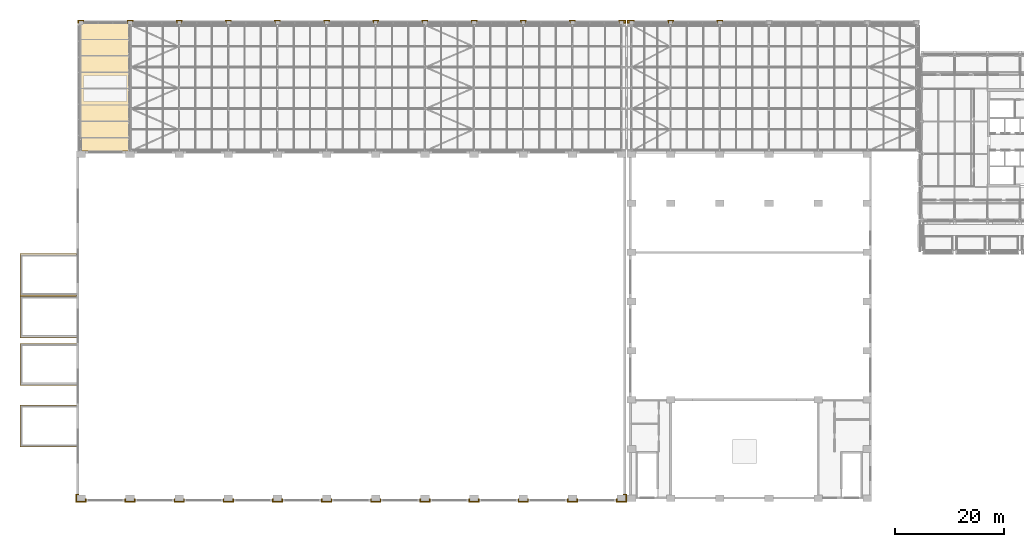
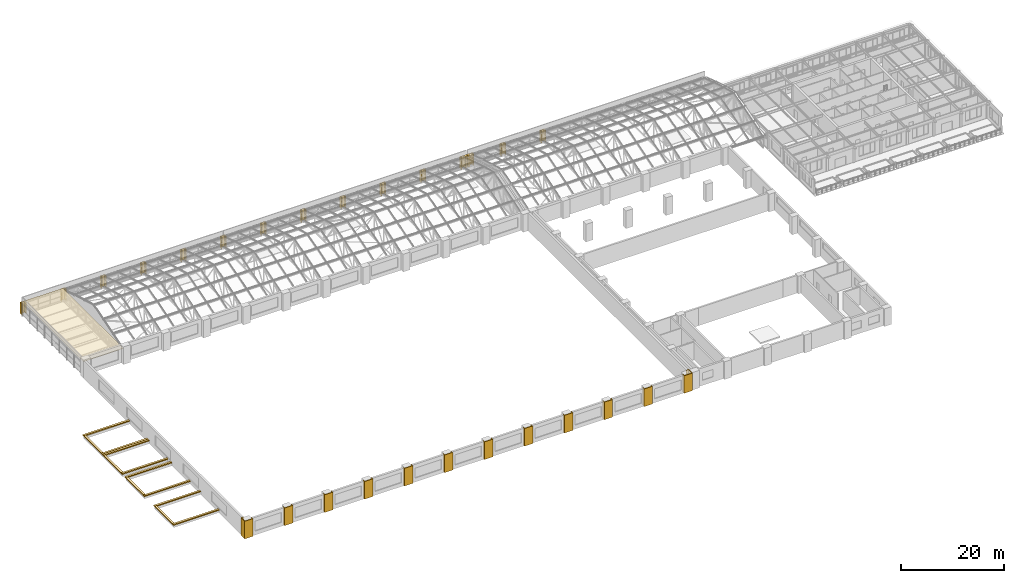
# One storey, part 78 of 82: 40 coverings.
"""IFC4 building model written with IfcOpenShell, lengths in metres."""

from ifc_helpers import new_model, si_unit, direction, frame, origin, place, context, subcontext, project, spatial, polyline, outline, extrude, material, layer, layer_set, type_object, element, save


model = new_model("IFC4")

# Units and contexts
model_context = context("Model", 3, precision=1e-05, world=origin(), true_north=direction((0.0, 1.0)))
body_context = subcontext(model_context, "Body", "Model", "MODEL_VIEW")
ifc_project = project(units=[si_unit("LENGTHUNIT", "METRE"), si_unit("AREAUNIT", "SQUARE_METRE"), si_unit("VOLUMEUNIT", "CUBIC_METRE"), si_unit("PLANEANGLEUNIT", "RADIAN"), si_unit("MASSUNIT", "GRAM", prefix="KILO")], contexts=[model_context])

# Site, building, storey
site_placement = place(None, origin())
site = spatial("IfcSite", under=ifc_project, at=site_placement, CompositionType="ELEMENT")
building_placement = place(site_placement, origin())
building = spatial("IfcBuilding", under=site, at=building_placement, Name="Aravalli Gate Trade Fair Centre", CompositionType="ELEMENT")
storey_placement = place(building_placement, frame((0.0, 0.0, 19.199951171875)))
storey = spatial("IfcBuildingStorey", under=building, at=storey_placement, Name="L04", CompositionType="ELEMENT", Elevation=19.199951171875)

# Coverings
ifc_material_1 = material(Name="Reflective roof membrane on rigid insulation")
ifc_layer_1 = layer(ifc_material_1, 0.10009765625)
ifc_layer_set_1 = layer_set([ifc_layer_1], Name="Reflective roof membrane on rigid insulation")
covering_type_1 = type_object("IfcCoveringType", Name="Concourse roof membrane and insulation 100", PredefinedType="ROOFING", material=ifc_layer_set_1)
covering_1_placement = place(storey_placement, frame((0.0, 0.0, 2.85009765625)))
element("IfcCovering", 1, at=covering_1_placement, inside=storey, type_object=covering_type_1, Name="Concourse roofing 1", PredefinedType="ROOFING", context=body_context, shape_type="SweptSolid", body=[
    extrude(outline(polyline([(14.89990234375, 109.60009765625), (14.89990234375, 133.199951171875), (5.89990234375, 133.199951171875), (5.89990234375, 109.60009765625), (14.89990234375, 109.60009765625)])), origin(), (0.0, 0.0, 1.0), 0.099853515625),
])
ifc_material_2 = material(Name="Terracotta", Category="masonry")
ifc_layer_2 = layer(ifc_material_2, 0.300048828125)
ifc_layer_set_2 = layer_set([ifc_layer_2], Name="Terracotta")
covering_type_2 = type_object("IfcCoveringType", Name="End tower cornice course", PredefinedType="CLADDING", material=ifc_layer_set_2)
covering_2_placement = place(storey_placement, frame((0.0, 0.0, 0.60009765625)))
element("IfcCovering", 2, at=covering_2_placement, inside=storey, type_object=covering_type_2, Name="End tower W1 cornice a", PredefinedType="CLADDING", context=body_context, shape_type="SweptSolid", body=[
    extrude(outline(polyline([(5.199951171875, 55.35009765625), (-5.14990234375, 55.35009765625), (-5.14990234375, 55.800048828125), (5.199951171875, 55.800048828125), (5.199951171875, 55.35009765625)])), origin(), (0.0, 0.0, 1.0), 0.25),
])
covering_3_placement = place(storey_placement, frame((0.0, 0.0, 0.60009765625)))
element("IfcCovering", 3, at=covering_3_placement, inside=storey, type_object=covering_type_2, Name="End tower W1 cornice b", PredefinedType="CLADDING", context=body_context, shape_type="SweptSolid", body=[
    extrude(outline(polyline([(5.199951171875, 62.60009765625), (-5.14990234375, 62.60009765625), (-5.14990234375, 63.050048828125), (5.199951171875, 63.050048828125), (5.199951171875, 62.60009765625)])), origin(), (0.0, 0.0, 1.0), 0.25),
])
covering_4_placement = place(storey_placement, frame((0.0, 0.0, 0.60009765625)))
element("IfcCovering", 4, at=covering_4_placement, inside=storey, type_object=covering_type_2, Name="End tower W1 cornice f", PredefinedType="CLADDING", context=body_context, shape_type="SweptSolid", body=[
    extrude(outline(polyline([(-4.699951171875, 55.800048828125), (-5.14990234375, 55.800048828125), (-5.14990234375, 62.60009765625), (-4.699951171875, 62.60009765625), (-4.699951171875, 55.800048828125)])), origin(), (0.0, 0.0, 1.0), 0.25),
])
covering_5_placement = place(storey_placement, frame((0.0, 0.0, 0.60009765625)))
element("IfcCovering", 5, at=covering_5_placement, inside=storey, type_object=covering_type_2, Name="End tower W2 cornice a", PredefinedType="CLADDING", context=body_context, shape_type="SweptSolid", body=[
    extrude(outline(polyline([(5.199951171875, 75.35009765625), (-5.14990234375, 75.35009765625), (-5.14990234375, 75.800048828125), (5.199951171875, 75.800048828125), (5.199951171875, 75.35009765625)])), origin(), (0.0, 0.0, 1.0), 0.25),
])
covering_6_placement = place(storey_placement, frame((0.0, 0.0, 0.60009765625)))
element("IfcCovering", 6, at=covering_6_placement, inside=storey, type_object=covering_type_2, Name="End tower W2 cornice b", PredefinedType="CLADDING", context=body_context, shape_type="SweptSolid", body=[
    extrude(outline(polyline([(5.199951171875, 82.60009765625), (-5.14990234375, 82.60009765625), (-5.14990234375, 83.050048828125), (5.199951171875, 83.050048828125), (5.199951171875, 82.60009765625)])), origin(), (0.0, 0.0, 1.0), 0.25),
])
covering_7_placement = place(storey_placement, frame((0.0, 0.0, 0.60009765625)))
element("IfcCovering", 7, at=covering_7_placement, inside=storey, type_object=covering_type_2, Name="End tower W2 cornice f", PredefinedType="CLADDING", context=body_context, shape_type="SweptSolid", body=[
    extrude(outline(polyline([(-4.699951171875, 75.800048828125), (-5.14990234375, 75.800048828125), (-5.14990234375, 82.60009765625), (-4.699951171875, 82.60009765625), (-4.699951171875, 75.800048828125)])), origin(), (0.0, 0.0, 1.0), 0.25),
])
covering_8_placement = place(storey_placement, frame((0.0, 0.0, 0.60009765625)))
element("IfcCovering", 8, at=covering_8_placement, inside=storey, type_object=covering_type_2, Name="End tower W4 cornice a", PredefinedType="CLADDING", context=body_context, shape_type="SweptSolid", body=[
    extrude(outline(polyline([(5.199951171875, 66.64990234375), (-5.14990234375, 66.64990234375), (-5.14990234375, 67.10009765625), (5.199951171875, 67.10009765625), (5.199951171875, 66.64990234375)])), origin(), (0.0, 0.0, 1.0), 0.25),
])
covering_9_placement = place(storey_placement, frame((0.0, 0.0, 0.60009765625)))
element("IfcCovering", 9, at=covering_9_placement, inside=storey, type_object=covering_type_2, Name="End tower W4 cornice b", PredefinedType="CLADDING", context=body_context, shape_type="SweptSolid", body=[
    extrude(outline(polyline([(5.199951171875, 73.89990234375), (-5.14990234375, 73.89990234375), (-5.14990234375, 74.35009765625), (5.199951171875, 74.35009765625), (5.199951171875, 73.89990234375)])), origin(), (0.0, 0.0, 1.0), 0.25),
])
covering_10_placement = place(storey_placement, frame((0.0, 0.0, 0.60009765625)))
element("IfcCovering", 10, at=covering_10_placement, inside=storey, type_object=covering_type_2, Name="End tower W4 cornice f", PredefinedType="CLADDING", context=body_context, shape_type="SweptSolid", body=[
    extrude(outline(polyline([(-4.699951171875, 67.10009765625), (-5.14990234375, 67.10009765625), (-5.14990234375, 73.89990234375), (-4.699951171875, 73.89990234375), (-4.699951171875, 67.10009765625)])), origin(), (0.0, 0.0, 1.0), 0.25),
])
covering_11_placement = place(storey_placement, frame((0.0, 0.0, 0.60009765625)))
element("IfcCovering", 11, at=covering_11_placement, inside=storey, type_object=covering_type_2, Name="End tower W5 cornice a", PredefinedType="CLADDING", context=body_context, shape_type="SweptSolid", body=[
    extrude(outline(polyline([(5.199951171875, 83.050048828125), (-5.14990234375, 83.050048828125), (-5.14990234375, 83.5), (5.199951171875, 83.5), (5.199951171875, 83.050048828125)])), origin(), (0.0, 0.0, 1.0), 0.25),
])
covering_12_placement = place(storey_placement, frame((0.0, 0.0, 0.60009765625)))
element("IfcCovering", 12, at=covering_12_placement, inside=storey, type_object=covering_type_2, Name="End tower W5 cornice b", PredefinedType="CLADDING", context=body_context, shape_type="SweptSolid", body=[
    extrude(outline(polyline([(5.199951171875, 90.300048828125), (-5.14990234375, 90.300048828125), (-5.14990234375, 90.75), (5.199951171875, 90.75), (5.199951171875, 90.300048828125)])), origin(), (0.0, 0.0, 1.0), 0.25),
])
covering_13_placement = place(storey_placement, frame((0.0, 0.0, 0.60009765625)))
element("IfcCovering", 13, at=covering_13_placement, inside=storey, type_object=covering_type_2, Name="End tower W5 cornice f", PredefinedType="CLADDING", context=body_context, shape_type="SweptSolid", body=[
    extrude(outline(polyline([(-4.699951171875, 83.5), (-5.14990234375, 83.5), (-5.14990234375, 90.300048828125), (-4.699951171875, 90.300048828125), (-4.699951171875, 83.5)])), origin(), (0.0, 0.0, 1.0), 0.25),
])
ifc_layer_3 = layer(ifc_material_2, 0.14990234375)
ifc_layer_set_3 = layer_set([ifc_layer_3], Name="Terracotta")
covering_type_3 = type_object("IfcCoveringType", Name="Terracotta pier casing", PredefinedType="CLADDING", material=ifc_layer_set_3)
covering_14_placement = place(storey_placement, origin())
element("IfcCovering", 14, at=covering_14_placement, inside=storey, type_object=covering_type_3, Name="Clad pier A1 L04", PredefinedType="CLADDING", context=body_context, shape_type="SweptSolid", body=[
    extrude(outline(polyline([(5.050048828125, 46.75), (5.64990234375, 46.75), (5.64990234375, 46.60009765625), (5.199951171875, 46.60009765625), (5.199951171875, 45.39990234375), (6.800048828125, 45.39990234375), (6.800048828125, 45.85009765625), (6.949951171875, 45.85009765625), (6.949951171875, 45.25), (5.050048828125, 45.25), (5.050048828125, 46.75)])), origin(), (0.0, 0.0, 1.0), 4.199951171875),
])
covering_15_placement = place(storey_placement, origin())
element("IfcCovering", 15, at=covering_15_placement, inside=storey, type_object=covering_type_3, Name="Clad pier A2 L04", PredefinedType="CLADDING", context=body_context, shape_type="SweptSolid", body=[
    extrude(outline(polyline([(14.050048828125, 45.85009765625), (14.199951171875, 45.85009765625), (14.199951171875, 45.39990234375), (15.800048828125, 45.39990234375), (15.800048828125, 45.85009765625), (15.949951171875, 45.85009765625), (15.949951171875, 45.25), (14.050048828125, 45.25), (14.050048828125, 45.85009765625)])), origin(), (0.0, 0.0, 1.0), 4.199951171875),
])
covering_16_placement = place(storey_placement, origin())
element("IfcCovering", 16, at=covering_16_placement, inside=storey, type_object=covering_type_3, Name="Clad pier A3 L04", PredefinedType="CLADDING", context=body_context, shape_type="SweptSolid", body=[
    extrude(outline(polyline([(23.050048828125, 45.85009765625), (23.199951171875, 45.85009765625), (23.199951171875, 45.39990234375), (24.800048828125, 45.39990234375), (24.800048828125, 45.85009765625), (24.949951171875, 45.85009765625), (24.949951171875, 45.25), (23.050048828125, 45.25), (23.050048828125, 45.85009765625)])), origin(), (0.0, 0.0, 1.0), 4.199951171875),
])
covering_17_placement = place(storey_placement, origin())
element("IfcCovering", 17, at=covering_17_placement, inside=storey, type_object=covering_type_3, Name="Clad pier A4 L04", PredefinedType="CLADDING", context=body_context, shape_type="SweptSolid", body=[
    extrude(outline(polyline([(32.050048828125, 45.85009765625), (32.199951171875, 45.85009765625), (32.199951171875, 45.39990234375), (33.800048828125, 45.39990234375), (33.800048828125, 45.85009765625), (33.949951171875, 45.85009765625), (33.949951171875, 45.25), (32.050048828125, 45.25), (32.050048828125, 45.85009765625)])), origin(), (0.0, 0.0, 1.0), 4.199951171875),
])
covering_18_placement = place(storey_placement, origin())
element("IfcCovering", 18, at=covering_18_placement, inside=storey, type_object=covering_type_3, Name="Clad pier A5 L04", PredefinedType="CLADDING", context=body_context, shape_type="SweptSolid", body=[
    extrude(outline(polyline([(41.050048828125, 45.85009765625), (41.199951171875, 45.85009765625), (41.199951171875, 45.39990234375), (42.800048828125, 45.39990234375), (42.800048828125, 45.85009765625), (42.949951171875, 45.85009765625), (42.949951171875, 45.25), (41.050048828125, 45.25), (41.050048828125, 45.85009765625)])), origin(), (0.0, 0.0, 1.0), 4.199951171875),
])
covering_19_placement = place(storey_placement, origin())
element("IfcCovering", 19, at=covering_19_placement, inside=storey, type_object=covering_type_3, Name="Clad pier A6 L04", PredefinedType="CLADDING", context=body_context, shape_type="SweptSolid", body=[
    extrude(outline(polyline([(50.050048828125, 45.85009765625), (50.199951171875, 45.85009765625), (50.199951171875, 45.39990234375), (51.800048828125, 45.39990234375), (51.800048828125, 45.85009765625), (51.949951171875, 45.85009765625), (51.949951171875, 45.25), (50.050048828125, 45.25), (50.050048828125, 45.85009765625)])), origin(), (0.0, 0.0, 1.0), 4.199951171875),
])
covering_20_placement = place(storey_placement, origin())
element("IfcCovering", 20, at=covering_20_placement, inside=storey, type_object=covering_type_3, Name="Clad pier A7 L04", PredefinedType="CLADDING", context=body_context, shape_type="SweptSolid", body=[
    extrude(outline(polyline([(59.050048828125, 45.85009765625), (59.199951171875, 45.85009765625), (59.199951171875, 45.39990234375), (60.800048828125, 45.39990234375), (60.800048828125, 45.85009765625), (60.949951171875, 45.85009765625), (60.949951171875, 45.25), (59.050048828125, 45.25), (59.050048828125, 45.85009765625)])), origin(), (0.0, 0.0, 1.0), 4.199951171875),
])
covering_21_placement = place(storey_placement, origin())
element("IfcCovering", 21, at=covering_21_placement, inside=storey, type_object=covering_type_3, Name="Clad pier A8 L04", PredefinedType="CLADDING", context=body_context, shape_type="SweptSolid", body=[
    extrude(outline(polyline([(68.050048828125, 45.85009765625), (68.199951171875, 45.85009765625), (68.199951171875, 45.39990234375), (69.800048828125, 45.39990234375), (69.800048828125, 45.85009765625), (69.949951171875, 45.85009765625), (69.949951171875, 45.25), (68.050048828125, 45.25), (68.050048828125, 45.85009765625)])), origin(), (0.0, 0.0, 1.0), 4.199951171875),
])
covering_22_placement = place(storey_placement, origin())
element("IfcCovering", 22, at=covering_22_placement, inside=storey, type_object=covering_type_3, Name="Clad pier A9 L04", PredefinedType="CLADDING", context=body_context, shape_type="SweptSolid", body=[
    extrude(outline(polyline([(77.050048828125, 45.85009765625), (77.199951171875, 45.85009765625), (77.199951171875, 45.39990234375), (78.800048828125, 45.39990234375), (78.800048828125, 45.85009765625), (78.949951171875, 45.85009765625), (78.949951171875, 45.25), (77.050048828125, 45.25), (77.050048828125, 45.85009765625)])), origin(), (0.0, 0.0, 1.0), 4.199951171875),
])
covering_23_placement = place(storey_placement, origin())
element("IfcCovering", 23, at=covering_23_placement, inside=storey, type_object=covering_type_3, Name="Clad pier A10 L04", PredefinedType="CLADDING", context=body_context, shape_type="SweptSolid", body=[
    extrude(outline(polyline([(86.050048828125, 45.85009765625), (86.199951171875, 45.85009765625), (86.199951171875, 45.39990234375), (87.800048828125, 45.39990234375), (87.800048828125, 45.85009765625), (87.949951171875, 45.85009765625), (87.949951171875, 45.25), (86.050048828125, 45.25), (86.050048828125, 45.85009765625)])), origin(), (0.0, 0.0, 1.0), 4.199951171875),
])
covering_24_placement = place(storey_placement, origin())
element("IfcCovering", 24, at=covering_24_placement, inside=storey, type_object=covering_type_3, Name="Clad pier A11 L04", PredefinedType="CLADDING", context=body_context, shape_type="SweptSolid", body=[
    extrude(outline(polyline([(95.050048828125, 45.85009765625), (95.199951171875, 45.85009765625), (95.199951171875, 45.39990234375), (96.800048828125, 45.39990234375), (96.800048828125, 45.85009765625), (96.949951171875, 45.85009765625), (96.949951171875, 45.25), (95.050048828125, 45.25), (95.050048828125, 45.85009765625)])), origin(), (0.0, 0.0, 1.0), 4.199951171875),
])
covering_25_placement = place(storey_placement, origin())
element("IfcCovering", 25, at=covering_25_placement, inside=storey, type_object=covering_type_3, Name="Clad pier A12 L04", PredefinedType="CLADDING", context=body_context, shape_type="SweptSolid", body=[
    extrude(outline(polyline([(104.050048828125, 45.85009765625), (104.199951171875, 45.85009765625), (104.199951171875, 45.39990234375), (105.800048828125, 45.39990234375), (105.800048828125, 46.60009765625), (105.35009765625, 46.60009765625), (105.35009765625, 46.75), (105.949951171875, 46.75), (105.949951171875, 45.25), (104.050048828125, 45.25), (104.050048828125, 45.85009765625)])), origin(), (0.0, 0.0, 1.0), 4.199951171875),
])
ifc_material_3 = material(Name="Glazed terracotta", Category="masonry")
ifc_layer_4 = layer(ifc_material_3, 0.14990234375)
ifc_layer_set_4 = layer_set([ifc_layer_4], Name="Glazed terracotta")
covering_type_4 = type_object("IfcCoveringType", Name="Terracotta pier casing 150", PredefinedType="CLADDING", material=ifc_layer_set_4)
covering_26_placement = place(storey_placement, origin())
element("IfcCovering", 26, at=covering_26_placement, inside=storey, type_object=covering_type_4, Name="Pier casing K01 L04", PredefinedType="CLADDING", context=body_context, shape_type="SweptSolid", body=[
    extrude(outline(polyline([(5.449951171875, 132.919921875), (5.60009765625, 132.919921875), (5.60009765625, 133.39990234375), (6.39990234375, 133.39990234375), (6.39990234375, 132.919921875), (6.550048828125, 132.919921875), (6.550048828125, 133.550048828125), (5.449951171875, 133.550048828125), (5.449951171875, 132.919921875)])), origin(), (0.0, 0.0, 1.0), 2.699951171875),
])
covering_27_placement = place(storey_placement, origin())
element("IfcCovering", 27, at=covering_27_placement, inside=storey, type_object=covering_type_4, Name="Pier casing K02 L04", PredefinedType="CLADDING", context=body_context, shape_type="SweptSolid", body=[
    extrude(outline(polyline([(14.449951171875, 132.919921875), (14.60009765625, 132.919921875), (14.60009765625, 133.39990234375), (15.39990234375, 133.39990234375), (15.39990234375, 132.919921875), (15.550048828125, 132.919921875), (15.550048828125, 133.550048828125), (14.449951171875, 133.550048828125), (14.449951171875, 132.919921875)])), origin(), (0.0, 0.0, 1.0), 2.699951171875),
])
covering_28_placement = place(storey_placement, origin())
element("IfcCovering", 28, at=covering_28_placement, inside=storey, type_object=covering_type_4, Name="Pier casing K03 L04", PredefinedType="CLADDING", context=body_context, shape_type="SweptSolid", body=[
    extrude(outline(polyline([(23.449951171875, 132.919921875), (23.60009765625, 132.919921875), (23.60009765625, 133.39990234375), (24.39990234375, 133.39990234375), (24.39990234375, 132.919921875), (24.550048828125, 132.919921875), (24.550048828125, 133.550048828125), (23.449951171875, 133.550048828125), (23.449951171875, 132.919921875)])), origin(), (0.0, 0.0, 1.0), 2.699951171875),
])
covering_29_placement = place(storey_placement, origin())
element("IfcCovering", 29, at=covering_29_placement, inside=storey, type_object=covering_type_4, Name="Pier casing K04 L04", PredefinedType="CLADDING", context=body_context, shape_type="SweptSolid", body=[
    extrude(outline(polyline([(32.449951171875, 132.919921875), (32.60009765625, 132.919921875), (32.60009765625, 133.39990234375), (33.39990234375, 133.39990234375), (33.39990234375, 132.919921875), (33.550048828125, 132.919921875), (33.550048828125, 133.550048828125), (32.449951171875, 133.550048828125), (32.449951171875, 132.919921875)])), origin(), (0.0, 0.0, 1.0), 2.699951171875),
])
covering_30_placement = place(storey_placement, origin())
element("IfcCovering", 30, at=covering_30_placement, inside=storey, type_object=covering_type_4, Name="Pier casing K05 L04", PredefinedType="CLADDING", context=body_context, shape_type="SweptSolid", body=[
    extrude(outline(polyline([(41.449951171875, 132.919921875), (41.60009765625, 132.919921875), (41.60009765625, 133.39990234375), (42.39990234375, 133.39990234375), (42.39990234375, 132.919921875), (42.550048828125, 132.919921875), (42.550048828125, 133.550048828125), (41.449951171875, 133.550048828125), (41.449951171875, 132.919921875)])), origin(), (0.0, 0.0, 1.0), 2.699951171875),
])
covering_31_placement = place(storey_placement, origin())
element("IfcCovering", 31, at=covering_31_placement, inside=storey, type_object=covering_type_4, Name="Pier casing K06 L04", PredefinedType="CLADDING", context=body_context, shape_type="SweptSolid", body=[
    extrude(outline(polyline([(50.449951171875, 132.919921875), (50.60009765625, 132.919921875), (50.60009765625, 133.39990234375), (51.39990234375, 133.39990234375), (51.39990234375, 132.919921875), (51.550048828125, 132.919921875), (51.550048828125, 133.550048828125), (50.449951171875, 133.550048828125), (50.449951171875, 132.919921875)])), origin(), (0.0, 0.0, 1.0), 2.699951171875),
])
covering_32_placement = place(storey_placement, origin())
element("IfcCovering", 32, at=covering_32_placement, inside=storey, type_object=covering_type_4, Name="Pier casing K07 L04", PredefinedType="CLADDING", context=body_context, shape_type="SweptSolid", body=[
    extrude(outline(polyline([(59.449951171875, 132.919921875), (59.60009765625, 132.919921875), (59.60009765625, 133.39990234375), (60.39990234375, 133.39990234375), (60.39990234375, 132.919921875), (60.550048828125, 132.919921875), (60.550048828125, 133.550048828125), (59.449951171875, 133.550048828125), (59.449951171875, 132.919921875)])), origin(), (0.0, 0.0, 1.0), 2.699951171875),
])
covering_33_placement = place(storey_placement, origin())
element("IfcCovering", 33, at=covering_33_placement, inside=storey, type_object=covering_type_4, Name="Pier casing K08 L04", PredefinedType="CLADDING", context=body_context, shape_type="SweptSolid", body=[
    extrude(outline(polyline([(68.449951171875, 132.919921875), (68.60009765625, 132.919921875), (68.60009765625, 133.39990234375), (69.39990234375, 133.39990234375), (69.39990234375, 132.919921875), (69.550048828125, 132.919921875), (69.550048828125, 133.550048828125), (68.449951171875, 133.550048828125), (68.449951171875, 132.919921875)])), origin(), (0.0, 0.0, 1.0), 2.699951171875),
])
covering_34_placement = place(storey_placement, origin())
element("IfcCovering", 34, at=covering_34_placement, inside=storey, type_object=covering_type_4, Name="Pier casing K09 L04", PredefinedType="CLADDING", context=body_context, shape_type="SweptSolid", body=[
    extrude(outline(polyline([(77.449951171875, 132.919921875), (77.60009765625, 132.919921875), (77.60009765625, 133.39990234375), (78.39990234375, 133.39990234375), (78.39990234375, 132.919921875), (78.550048828125, 132.919921875), (78.550048828125, 133.550048828125), (77.449951171875, 133.550048828125), (77.449951171875, 132.919921875)])), origin(), (0.0, 0.0, 1.0), 2.699951171875),
])
covering_35_placement = place(storey_placement, origin())
element("IfcCovering", 35, at=covering_35_placement, inside=storey, type_object=covering_type_4, Name="Pier casing K10 L04", PredefinedType="CLADDING", context=body_context, shape_type="SweptSolid", body=[
    extrude(outline(polyline([(86.449951171875, 132.919921875), (86.60009765625, 132.919921875), (86.60009765625, 133.39990234375), (87.39990234375, 133.39990234375), (87.39990234375, 132.919921875), (87.550048828125, 132.919921875), (87.550048828125, 133.550048828125), (86.449951171875, 133.550048828125), (86.449951171875, 132.919921875)])), origin(), (0.0, 0.0, 1.0), 2.699951171875),
])
covering_36_placement = place(storey_placement, origin())
element("IfcCovering", 36, at=covering_36_placement, inside=storey, type_object=covering_type_4, Name="Pier casing K11 L04", PredefinedType="CLADDING", context=body_context, shape_type="SweptSolid", body=[
    extrude(outline(polyline([(95.449951171875, 132.919921875), (95.60009765625, 132.919921875), (95.60009765625, 133.39990234375), (96.39990234375, 133.39990234375), (96.39990234375, 132.919921875), (96.550048828125, 132.919921875), (96.550048828125, 133.550048828125), (95.449951171875, 133.550048828125), (95.449951171875, 132.919921875)])), origin(), (0.0, 0.0, 1.0), 2.699951171875),
])
covering_37_placement = place(storey_placement, origin())
element("IfcCovering", 37, at=covering_37_placement, inside=storey, type_object=covering_type_4, Name="Pier casing K12 L04", PredefinedType="CLADDING", context=body_context, shape_type="SweptSolid", body=[
    extrude(outline(polyline([(104.449951171875, 132.919921875), (104.60009765625, 132.919921875), (104.60009765625, 133.39990234375), (105.39990234375, 133.39990234375), (105.39990234375, 132.919921875), (105.800048828125, 132.919921875), (105.800048828125, 133.550048828125), (104.449951171875, 133.550048828125), (104.449951171875, 132.919921875)])), origin(), (0.0, 0.0, 1.0), 2.699951171875),
])
covering_38_placement = place(storey_placement, origin())
element("IfcCovering", 38, at=covering_38_placement, inside=storey, type_object=covering_type_4, Name="Pier casing K12A L04", PredefinedType="CLADDING", context=body_context, shape_type="SweptSolid", body=[
    extrude(outline(polyline([(106.0, 132.919921875), (106.39990234375, 132.919921875), (106.39990234375, 133.39990234375), (107.199951171875, 133.39990234375), (107.199951171875, 132.919921875), (107.35009765625, 132.919921875), (107.35009765625, 133.550048828125), (106.0, 133.550048828125), (106.0, 132.919921875)])), origin(), (0.0, 0.0, 1.0), 2.699951171875),
])
covering_39_placement = place(storey_placement, origin())
element("IfcCovering", 39, at=covering_39_placement, inside=storey, type_object=covering_type_4, Name="Pier casing K13 L04", PredefinedType="CLADDING", context=body_context, shape_type="SweptSolid", body=[
    extrude(outline(polyline([(113.449951171875, 132.919921875), (113.60009765625, 132.919921875), (113.60009765625, 133.39990234375), (114.39990234375, 133.39990234375), (114.39990234375, 132.919921875), (114.550048828125, 132.919921875), (114.550048828125, 133.550048828125), (113.449951171875, 133.550048828125), (113.449951171875, 132.919921875)])), origin(), (0.0, 0.0, 1.0), 2.699951171875),
])
covering_40_placement = place(storey_placement, origin())
element("IfcCovering", 40, at=covering_40_placement, inside=storey, type_object=covering_type_4, Name="Pier casing K14 L04", PredefinedType="CLADDING", context=body_context, shape_type="SweptSolid", body=[
    extrude(outline(polyline([(122.449951171875, 132.919921875), (122.60009765625, 132.919921875), (122.60009765625, 133.39990234375), (123.39990234375, 133.39990234375), (123.39990234375, 132.919921875), (123.550048828125, 132.919921875), (123.550048828125, 133.550048828125), (122.449951171875, 133.550048828125), (122.449951171875, 132.919921875)])), origin(), (0.0, 0.0, 1.0), 2.699951171875),
])

save(model, "model.ifc")
